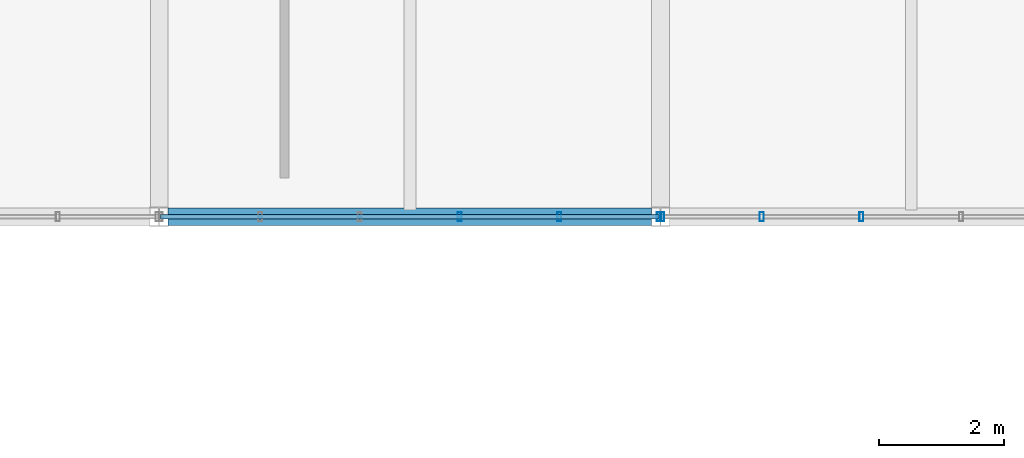
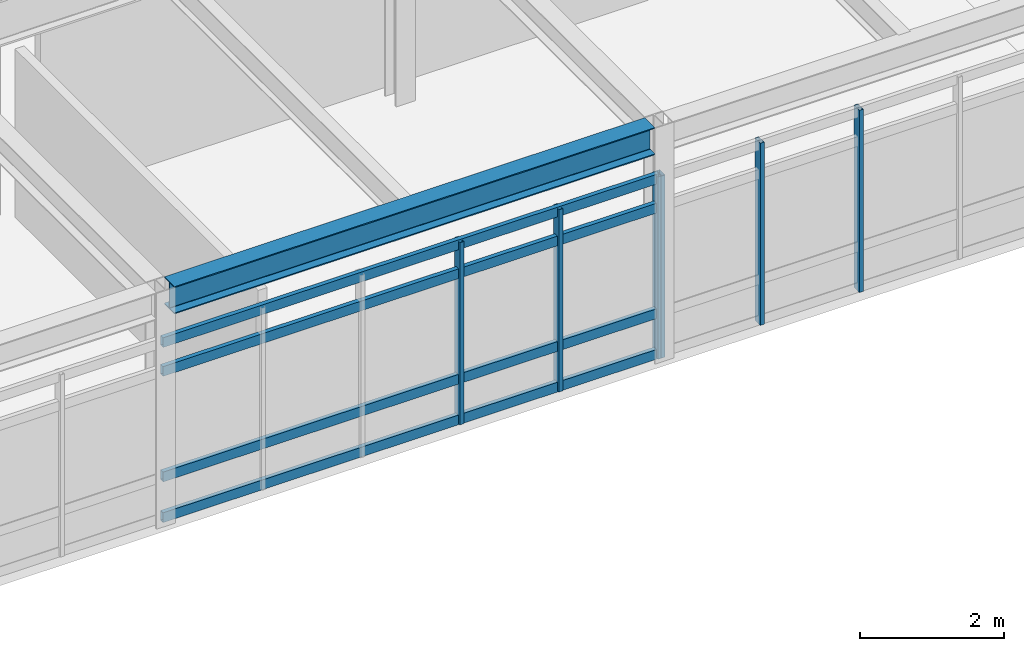
# One storey, part 22 of 45: 10 members, 1 beam, 2 elements without a shape of their own.
"""IFC4 building model written with IfcOpenShell, lengths in metres."""

from ifc_helpers import new_model, si_unit, direction, frame, origin, origin_2d, place, context, subcontext, project, spatial, hollow_rectangle, i_section, extrude, material, material_profile, profile_set, type_object, element, aggregate, save


model = new_model("IFC4")

# Units and contexts
model_context = context("Model", 3, precision=1e-05, world=origin(), true_north=direction((0.0, 1.0)))
body_context = subcontext(model_context, "Body", "Model", "MODEL_VIEW")
ifc_project = project(units=[si_unit("LENGTHUNIT", "METRE"), si_unit("AREAUNIT", "SQUARE_METRE"), si_unit("VOLUMEUNIT", "CUBIC_METRE"), si_unit("PLANEANGLEUNIT", "RADIAN"), si_unit("MASSUNIT", "GRAM", prefix="KILO")], contexts=[model_context])

# Site, building, storey
site_placement = place(None, origin())
site = spatial("IfcSite", under=ifc_project, at=site_placement, CompositionType="ELEMENT")
building_placement = place(site_placement, origin())
building = spatial("IfcBuilding", under=site, at=building_placement, Name="Zulena Civic Courthouse", CompositionType="ELEMENT")
storey_placement = place(building_placement, frame((0.0, 0.0, 29.39990234375)))
storey = spatial("IfcBuildingStorey", under=building, at=storey_placement, Name="L06", CompositionType="ELEMENT", Elevation=29.39990234375)

# Curtain wall, members
ifc_material_1 = material(Name="Double-silver low-E laminated solar-control glass", Category="glass")
curtain_wall_type = type_object("IfcCurtainWallType", Name="CW_7952x3090", PredefinedType="USERDEFINED", material=ifc_material_1)
curtain_wall_1_placement = place(storey_placement, origin())
curtain_wall_1 = element("IfcCurtainWall", 1, at=curtain_wall_1_placement, inside=storey, type_object=curtain_wall_type, Name="cw:V5:L06:5:4", ObjectType="UNITISED CURTAIN WALL", PredefinedType="USERDEFINED")
ifc_material_2 = material(Name="Bronze anodised thermally broken aluminium AA6063-T6", Category="aluminium")
ifc_material_profile_1 = material_profile(ifc_material_2, hollow_rectangle(XDim=0.06494140625, YDim=0.14990234375, WallThickness=0.00390625, at=origin_2d()), Name="CWM150X65X4")
ifc_profile_set_1 = profile_set([ifc_material_profile_1], Name="Bronze anodised thermally broken aluminium AA6063-T6")
member_type_1 = type_object("IfcMemberType", Name="CWMullion_150x65", PredefinedType="MULLION", material=ifc_profile_set_1)
member_1_placement = place(storey_placement, frame((63.204833984375, 46.0, 0.0), z_axis=(0.0, 0.0, 1.0), x_axis=(1.0, 0.0, 0.0)))
member_1 = element("IfcMember", 2, at=member_1_placement, type_object=member_type_1, Name="cw:V5:L06:5:4:mull:3", PredefinedType="MULLION", context=body_context, shape_type="SweptSolid", body=[
    extrude(hollow_rectangle(XDim=0.06494140625, YDim=0.14990234375, WallThickness=0.00390625, at=origin_2d()), origin(), (0.0, 0.0, 1.0), 3.090087890625),
])
member_2_placement = place(storey_placement, frame((61.614501953125, 46.0, 0.0), z_axis=(0.0, 0.0, 1.0), x_axis=(1.0, 0.0, 0.0)))
member_2 = element("IfcMember", 3, at=member_2_placement, type_object=member_type_1, Name="cw:V5:L06:5:4:mull:4", PredefinedType="MULLION", context=body_context, shape_type="SweptSolid", body=[
    extrude(hollow_rectangle(XDim=0.06494140625, YDim=0.14990234375, WallThickness=0.00390625, at=origin_2d()), origin(), (0.0, 0.0, 1.0), 3.090087890625),
])
member_3_placement = place(storey_placement, frame((60.02392578125, 46.0, 0.0), z_axis=(0.0, 0.0, 1.0), x_axis=(1.0, 0.0, 0.0)))
member_3 = element("IfcMember", 4, at=member_3_placement, type_object=member_type_1, Name="cw:V5:L06:5:4:mull:5", PredefinedType="MULLION", context=body_context, shape_type="SweptSolid", body=[
    extrude(hollow_rectangle(XDim=0.06494140625, YDim=0.14990234375, WallThickness=0.00390625, at=origin_2d()), origin(), (0.0, 0.0, 1.0), 3.090087890625),
])
aggregate(curtain_wall_1, [member_1, member_2, member_3])

curtain_wall_2_placement = place(storey_placement, origin())
curtain_wall_2 = element("IfcCurtainWall", 5, at=curtain_wall_2_placement, inside=storey, type_object=curtain_wall_type, Name="cw:V5:L06:5:5", ObjectType="UNITISED CURTAIN WALL", PredefinedType="USERDEFINED")
member_4_placement = place(storey_placement, frame((59.97607421875, 46.0, 0.0), z_axis=(0.0, 0.0, 1.0), x_axis=(1.0, 0.0, 0.0)))
member_4 = element("IfcMember", 6, at=member_4_placement, type_object=member_type_1, Name="cw:V5:L06:5:5:mull:0", PredefinedType="MULLION", context=body_context, shape_type="SweptSolid", body=[
    extrude(hollow_rectangle(XDim=0.06494140625, YDim=0.14990234375, WallThickness=0.00390625, at=origin_2d()), origin(), (0.0, 0.0, 1.0), 3.090087890625),
])
member_5_placement = place(storey_placement, frame((58.385498046875, 46.0, 0.0), z_axis=(0.0, 0.0, 1.0), x_axis=(1.0, 0.0, 0.0)))
member_5 = element("IfcMember", 7, at=member_5_placement, type_object=member_type_1, Name="cw:V5:L06:5:5:mull:1", PredefinedType="MULLION", context=body_context, shape_type="SweptSolid", body=[
    extrude(hollow_rectangle(XDim=0.06494140625, YDim=0.14990234375, WallThickness=0.00390625, at=origin_2d()), origin(), (0.0, 0.0, 1.0), 3.090087890625),
])
member_6_placement = place(storey_placement, frame((56.795166015625, 46.0, 0.0), z_axis=(0.0, 0.0, 1.0), x_axis=(1.0, 0.0, 0.0)))
member_6 = element("IfcMember", 8, at=member_6_placement, type_object=member_type_1, Name="cw:V5:L06:5:5:mull:2", PredefinedType="MULLION", context=body_context, shape_type="SweptSolid", body=[
    extrude(hollow_rectangle(XDim=0.06494140625, YDim=0.14990234375, WallThickness=0.00390625, at=origin_2d()), origin(), (0.0, 0.0, 1.0), 3.090087890625),
])
ifc_material_profile_2 = material_profile(ifc_material_2, hollow_rectangle(XDim=0.070068359375, YDim=0.1650390625, WallThickness=0.00390625, at=origin_2d()), Name="CWT165X70X4")
ifc_profile_set_2 = profile_set([ifc_material_profile_2], Name="Bronze anodised thermally broken aluminium AA6063-T6")
member_type_2 = type_object("IfcMemberType", Name="CWTransom_165x70", PredefinedType="USERDEFINED", material=ifc_profile_set_2)
member_7_placement = place(storey_placement, frame((59.97607421875, 46.0, 0.06005859375), z_axis=(-1.0, 0.0, 0.0), x_axis=(0.0, -1.0, 0.0)))
member_7 = element("IfcMember", 9, at=member_7_placement, type_object=member_type_2, Name="cw:V5:L06:5:5:tran:0", ObjectType="TRANSOM", PredefinedType="USERDEFINED", context=body_context, shape_type="SweptSolid", body=[
    extrude(hollow_rectangle(XDim=0.070068359375, YDim=0.1650390625, WallThickness=0.00390625, at=origin_2d()), origin(), (0.0, 0.0, 1.0), 7.9521484375),
])
member_8_placement = place(storey_placement, frame((59.97607421875, 46.0, 0.75), z_axis=(-1.0, 0.0, 0.0), x_axis=(0.0, -1.0, 0.0)))
member_8 = element("IfcMember", 10, at=member_8_placement, type_object=member_type_2, Name="cw:V5:L06:5:5:tran:1", ObjectType="TRANSOM", PredefinedType="USERDEFINED", context=body_context, shape_type="SweptSolid", body=[
    extrude(hollow_rectangle(XDim=0.070068359375, YDim=0.1650390625, WallThickness=0.00390625, at=origin_2d()), origin(), (0.0, 0.0, 1.0), 7.9521484375),
])
member_9_placement = place(storey_placement, frame((59.97607421875, 46.0, 2.5400390625), z_axis=(-1.0, 0.0, 0.0), x_axis=(0.0, -1.0, 0.0)))
member_9 = element("IfcMember", 11, at=member_9_placement, type_object=member_type_2, Name="cw:V5:L06:5:5:tran:2", ObjectType="TRANSOM", PredefinedType="USERDEFINED", context=body_context, shape_type="SweptSolid", body=[
    extrude(hollow_rectangle(XDim=0.070068359375, YDim=0.1650390625, WallThickness=0.00390625, at=origin_2d()), origin(), (0.0, 0.0, 1.0), 7.9521484375),
])
member_10_placement = place(storey_placement, frame((59.97607421875, 46.0, 3.030029296875), z_axis=(-1.0, 0.0, 0.0), x_axis=(0.0, -1.0, 0.0)))
member_10 = element("IfcMember", 12, at=member_10_placement, type_object=member_type_2, Name="cw:V5:L06:5:5:tran:3", ObjectType="TRANSOM", PredefinedType="USERDEFINED", context=body_context, shape_type="SweptSolid", body=[
    extrude(hollow_rectangle(XDim=0.070068359375, YDim=0.1650390625, WallThickness=0.00390625, at=origin_2d()), origin(), (0.0, 0.0, 1.0), 7.9521484375),
])
aggregate(curtain_wall_2, [member_4, member_5, member_6, member_7, member_8, member_9, member_10])

# Beam
ifc_material_3 = material(Name="Steel ASTM A992 Grade 50", Category="steel")
ifc_material_profile_3 = material_profile(ifc_material_3, i_section(OverallWidth=0.280029296875, OverallDepth=0.462890625, WebThickness=0.0107421875, FlangeThickness=0.017333984375, FilletRadius=0.01025390625, at=origin_2d()), Name="W18X76")
ifc_profile_set_3 = profile_set([ifc_material_profile_3], Name="Steel ASTM A992 Grade 50")
beam_type = type_object("IfcBeamType", Name="Spandrel_W18X76", PredefinedType="SPANDREL", material=ifc_profile_set_3)
beam_placement = place(storey_placement, frame((52.14501953125, 46.0, 3.7685546875), z_axis=(1.0, 0.0, 0.0), x_axis=(0.0, 1.0, 0.0)))
element("IfcBeam", 13, at=beam_placement, inside=storey, type_object=beam_type, Name="beam:X:V5:L06:46.0:52.0_60.0", PredefinedType="SPANDREL", context=body_context, shape_type="SweptSolid", body=[
    extrude(i_section(OverallWidth=0.280029296875, OverallDepth=0.462890625, WebThickness=0.0107421875, FlangeThickness=0.017333984375, FilletRadius=0.01025390625, at=origin_2d()), origin(), (0.0, 0.0, 1.0), 7.7099609375),
])

save(model, "model.ifc")
